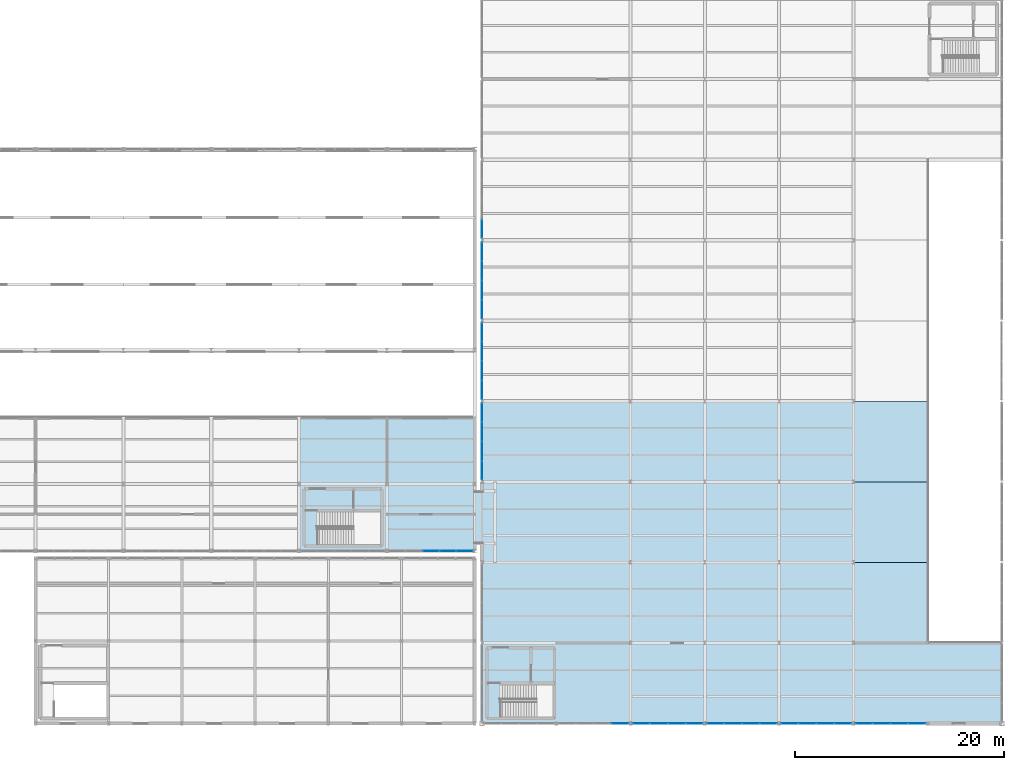
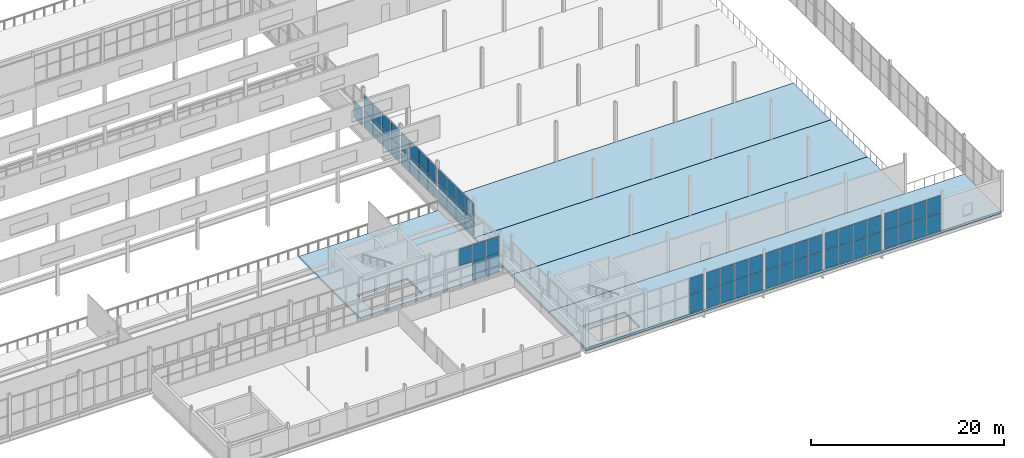
# One storey, part 187 of 218: 64 plates, 6 slabs, 10 elements without a shape of their own.
"""IFC4 building model written with IfcOpenShell, lengths in metres."""

from ifc_helpers import new_model, si_unit, direction, frame, origin, origin_2d, place, context, subcontext, project, spatial, polyline, rectangle, outline, extrude, material, layer, layer_set, type_object, element, aggregate, save


model = new_model("IFC4")

# Units and contexts
model_context = context("Model", 3, precision=1e-05, world=origin(), true_north=direction((0.0, 1.0)))
body_context = subcontext(model_context, "Body", "Model", "MODEL_VIEW")
ifc_project = project(units=[si_unit("LENGTHUNIT", "METRE"), si_unit("AREAUNIT", "SQUARE_METRE"), si_unit("VOLUMEUNIT", "CUBIC_METRE"), si_unit("PLANEANGLEUNIT", "RADIAN"), si_unit("MASSUNIT", "GRAM", prefix="KILO")], contexts=[model_context])

# Site, building, storey
site_placement = place(None, origin())
site = spatial("IfcSite", under=ifc_project, at=site_placement, CompositionType="ELEMENT")
building_placement = place(site_placement, origin())
building = spatial("IfcBuilding", under=site, at=building_placement, Name="Kazenagashi Tramway Depot", CompositionType="ELEMENT")
storey_placement = place(building_placement, frame((0.0, 0.0, 6.0)))
storey = spatial("IfcBuildingStorey", under=building, at=storey_placement, Name="L02", CompositionType="ELEMENT", Elevation=6.0)

# Curtain wall, plates
ifc_material_1 = material(Name="Anodised Aluminium and Low-E Glazing", Category="aluminium")
curtain_wall_type_1 = type_object("IfcCurtainWallType", Name="CW-31", PredefinedType="USERDEFINED", material=ifc_material_1)
curtain_wall_1_placement = place(storey_placement, origin())
curtain_wall_1 = element("IfcCurtainWall", 1, at=curtain_wall_1_placement, inside=storey, type_object=curtain_wall_type_1, Name="Industrial Glazed Screen CW-31 CW-0163", ObjectType="GLAZED SCREEN", PredefinedType="USERDEFINED")
ifc_material_2 = material(Name="Tempered Laminated Low-E Glass", Category="glass")
ifc_layer_1 = layer(ifc_material_2, 0.02)
ifc_layer_set_1 = layer_set([ifc_layer_1], Name="Tempered Laminated Low-E Glass")
plate_type_1 = type_object("IfcPlateType", Name="GL-03", PredefinedType="CURTAIN_PANEL", material=ifc_layer_set_1)
plate_1_placement = place(storey_placement, frame((146.3, 24.1825, 0.06), z_axis=(0.0, 0.0, 1.0), x_axis=(0.0, 1.0, 0.0)))
plate_1 = element("IfcPlate", 2, at=plate_1_placement, type_object=plate_type_1, Name="CW-31 panel 1.1", PredefinedType="CURTAIN_PANEL", context=body_context, shape_type="SweptSolid", body=[
    extrude(rectangle(XDim=1.765, YDim=0.02, at=origin_2d()), origin(), (0.0, 0.0, 1.0), 2.12),
])
plate_2_placement = place(storey_placement, frame((146.3, 24.1825, 2.24), z_axis=(0.0, 0.0, 1.0), x_axis=(0.0, 1.0, 0.0)))
plate_2 = element("IfcPlate", 3, at=plate_2_placement, type_object=plate_type_1, Name="CW-31 panel 1.2", PredefinedType="CURTAIN_PANEL", context=body_context, shape_type="SweptSolid", body=[
    extrude(rectangle(XDim=1.765, YDim=0.02, at=origin_2d()), origin(), (0.0, 0.0, 1.0), 1.95),
])
plate_3_placement = place(storey_placement, frame((146.3, 26.0225, 0.06), z_axis=(0.0, 0.0, 1.0), x_axis=(0.0, 1.0, 0.0)))
plate_3 = element("IfcPlate", 4, at=plate_3_placement, type_object=plate_type_1, Name="CW-31 panel 2.1", PredefinedType="CURTAIN_PANEL", context=body_context, shape_type="SweptSolid", body=[
    extrude(rectangle(XDim=1.795, YDim=0.02, at=origin_2d()), origin(), (0.0, 0.0, 1.0), 2.12),
])
plate_4_placement = place(storey_placement, frame((146.3, 26.0225, 2.24), z_axis=(0.0, 0.0, 1.0), x_axis=(0.0, 1.0, 0.0)))
plate_4 = element("IfcPlate", 5, at=plate_4_placement, type_object=plate_type_1, Name="CW-31 panel 2.2", PredefinedType="CURTAIN_PANEL", context=body_context, shape_type="SweptSolid", body=[
    extrude(rectangle(XDim=1.795, YDim=0.02, at=origin_2d()), origin(), (0.0, 0.0, 1.0), 1.95),
])
plate_5_placement = place(storey_placement, frame((146.3, 27.8775, 0.06), z_axis=(0.0, 0.0, 1.0), x_axis=(0.0, 1.0, 0.0)))
plate_5 = element("IfcPlate", 6, at=plate_5_placement, type_object=plate_type_1, Name="CW-31 panel 3.1", PredefinedType="CURTAIN_PANEL", context=body_context, shape_type="SweptSolid", body=[
    extrude(rectangle(XDim=1.795, YDim=0.02, at=origin_2d()), origin(), (0.0, 0.0, 1.0), 2.12),
])
plate_6_placement = place(storey_placement, frame((146.3, 27.8775, 2.24), z_axis=(0.0, 0.0, 1.0), x_axis=(0.0, 1.0, 0.0)))
plate_6 = element("IfcPlate", 7, at=plate_6_placement, type_object=plate_type_1, Name="CW-31 panel 3.2", PredefinedType="CURTAIN_PANEL", context=body_context, shape_type="SweptSolid", body=[
    extrude(rectangle(XDim=1.795, YDim=0.02, at=origin_2d()), origin(), (0.0, 0.0, 1.0), 1.95),
])
plate_7_placement = place(storey_placement, frame((146.3, 29.7175, 0.06), z_axis=(0.0, 0.0, 1.0), x_axis=(0.0, 1.0, 0.0)))
plate_7 = element("IfcPlate", 8, at=plate_7_placement, type_object=plate_type_1, Name="CW-31 panel 4.1", PredefinedType="CURTAIN_PANEL", context=body_context, shape_type="SweptSolid", body=[
    extrude(rectangle(XDim=1.765, YDim=0.02, at=origin_2d()), origin(), (0.0, 0.0, 1.0), 2.12),
])
plate_8_placement = place(storey_placement, frame((146.3, 29.7175, 2.24), z_axis=(0.0, 0.0, 1.0), x_axis=(0.0, 1.0, 0.0)))
plate_8 = element("IfcPlate", 9, at=plate_8_placement, type_object=plate_type_1, Name="CW-31 panel 4.2", PredefinedType="CURTAIN_PANEL", context=body_context, shape_type="SweptSolid", body=[
    extrude(rectangle(XDim=1.765, YDim=0.02, at=origin_2d()), origin(), (0.0, 0.0, 1.0), 1.95),
])
aggregate(curtain_wall_1, [plate_1, plate_2, plate_3, plate_4, plate_5, plate_6, plate_7, plate_8])

curtain_wall_2_placement = place(storey_placement, origin())
curtain_wall_2 = element("IfcCurtainWall", 10, at=curtain_wall_2_placement, inside=storey, type_object=curtain_wall_type_1, Name="Industrial Glazed Screen CW-31 CW-0165", ObjectType="GLAZED SCREEN", PredefinedType="USERDEFINED")
ifc_layer_2 = layer(ifc_material_2, 0.024)
ifc_layer_set_2 = layer_set([ifc_layer_2], Name="Tempered Laminated Low-E Glass")
plate_type_2 = type_object("IfcPlateType", Name="GL-05", PredefinedType="CURTAIN_PANEL", material=ifc_layer_set_2)
plate_9_placement = place(storey_placement, frame((146.3, 31.8825, 0.06), z_axis=(0.0, 0.0, 1.0), x_axis=(0.0, 1.0, 0.0)))
plate_9 = element("IfcPlate", 11, at=plate_9_placement, type_object=plate_type_2, Name="CW-31 panel 1.1", PredefinedType="CURTAIN_PANEL", context=body_context, shape_type="SweptSolid", body=[
    extrude(rectangle(XDim=1.765, YDim=0.024, at=origin_2d()), origin(), (0.0, 0.0, 1.0), 2.12),
])
plate_10_placement = place(storey_placement, frame((146.3, 31.8825, 2.24), z_axis=(0.0, 0.0, 1.0), x_axis=(0.0, 1.0, 0.0)))
plate_10 = element("IfcPlate", 12, at=plate_10_placement, type_object=plate_type_2, Name="CW-31 panel 1.2", PredefinedType="CURTAIN_PANEL", context=body_context, shape_type="SweptSolid", body=[
    extrude(rectangle(XDim=1.765, YDim=0.024, at=origin_2d()), origin(), (0.0, 0.0, 1.0), 1.95),
])
plate_11_placement = place(storey_placement, frame((146.3, 33.7225, 0.06), z_axis=(0.0, 0.0, 1.0), x_axis=(0.0, 1.0, 0.0)))
plate_11 = element("IfcPlate", 13, at=plate_11_placement, type_object=plate_type_2, Name="CW-31 panel 2.1", PredefinedType="CURTAIN_PANEL", context=body_context, shape_type="SweptSolid", body=[
    extrude(rectangle(XDim=1.795, YDim=0.024, at=origin_2d()), origin(), (0.0, 0.0, 1.0), 2.12),
])
plate_12_placement = place(storey_placement, frame((146.3, 33.7225, 2.24), z_axis=(0.0, 0.0, 1.0), x_axis=(0.0, 1.0, 0.0)))
plate_12 = element("IfcPlate", 14, at=plate_12_placement, type_object=plate_type_2, Name="CW-31 panel 2.2", PredefinedType="CURTAIN_PANEL", context=body_context, shape_type="SweptSolid", body=[
    extrude(rectangle(XDim=1.795, YDim=0.024, at=origin_2d()), origin(), (0.0, 0.0, 1.0), 1.95),
])
plate_13_placement = place(storey_placement, frame((146.3, 35.5775, 0.06), z_axis=(0.0, 0.0, 1.0), x_axis=(0.0, 1.0, 0.0)))
plate_13 = element("IfcPlate", 15, at=plate_13_placement, type_object=plate_type_2, Name="CW-31 panel 3.1", PredefinedType="CURTAIN_PANEL", context=body_context, shape_type="SweptSolid", body=[
    extrude(rectangle(XDim=1.795, YDim=0.024, at=origin_2d()), origin(), (0.0, 0.0, 1.0), 2.12),
])
plate_14_placement = place(storey_placement, frame((146.3, 35.5775, 2.24), z_axis=(0.0, 0.0, 1.0), x_axis=(0.0, 1.0, 0.0)))
plate_14 = element("IfcPlate", 16, at=plate_14_placement, type_object=plate_type_2, Name="CW-31 panel 3.2", PredefinedType="CURTAIN_PANEL", context=body_context, shape_type="SweptSolid", body=[
    extrude(rectangle(XDim=1.795, YDim=0.024, at=origin_2d()), origin(), (0.0, 0.0, 1.0), 1.95),
])
plate_15_placement = place(storey_placement, frame((146.3, 37.4175, 0.06), z_axis=(0.0, 0.0, 1.0), x_axis=(0.0, 1.0, 0.0)))
plate_15 = element("IfcPlate", 17, at=plate_15_placement, type_object=plate_type_2, Name="CW-31 panel 4.1", PredefinedType="CURTAIN_PANEL", context=body_context, shape_type="SweptSolid", body=[
    extrude(rectangle(XDim=1.765, YDim=0.024, at=origin_2d()), origin(), (0.0, 0.0, 1.0), 2.12),
])
plate_16_placement = place(storey_placement, frame((146.3, 37.4175, 2.24), z_axis=(0.0, 0.0, 1.0), x_axis=(0.0, 1.0, 0.0)))
plate_16 = element("IfcPlate", 18, at=plate_16_placement, type_object=plate_type_2, Name="CW-31 panel 4.2", PredefinedType="CURTAIN_PANEL", context=body_context, shape_type="SweptSolid", body=[
    extrude(rectangle(XDim=1.765, YDim=0.024, at=origin_2d()), origin(), (0.0, 0.0, 1.0), 1.95),
])
aggregate(curtain_wall_2, [plate_9, plate_10, plate_11, plate_12, plate_13, plate_14, plate_15, plate_16])

curtain_wall_3_placement = place(storey_placement, origin())
curtain_wall_3 = element("IfcCurtainWall", 19, at=curtain_wall_3_placement, inside=storey, type_object=curtain_wall_type_1, Name="Industrial Glazed Screen CW-31 CW-0167", ObjectType="GLAZED SCREEN", PredefinedType="USERDEFINED")
ifc_layer_3 = layer(ifc_material_2, 0.028)
ifc_layer_set_3 = layer_set([ifc_layer_3], Name="Tempered Laminated Low-E Glass")
plate_type_3 = type_object("IfcPlateType", Name="GL-07", PredefinedType="CURTAIN_PANEL", material=ifc_layer_set_3)
plate_17_placement = place(storey_placement, frame((146.3, 39.5825, 0.06), z_axis=(0.0, 0.0, 1.0), x_axis=(0.0, 1.0, 0.0)))
plate_17 = element("IfcPlate", 20, at=plate_17_placement, type_object=plate_type_3, Name="CW-31 panel 1.1", PredefinedType="CURTAIN_PANEL", context=body_context, shape_type="SweptSolid", body=[
    extrude(rectangle(XDim=1.765, YDim=0.028, at=origin_2d()), origin(), (0.0, 0.0, 1.0), 2.12),
])
plate_18_placement = place(storey_placement, frame((146.3, 39.5825, 2.24), z_axis=(0.0, 0.0, 1.0), x_axis=(0.0, 1.0, 0.0)))
plate_18 = element("IfcPlate", 21, at=plate_18_placement, type_object=plate_type_3, Name="CW-31 panel 1.2", PredefinedType="CURTAIN_PANEL", context=body_context, shape_type="SweptSolid", body=[
    extrude(rectangle(XDim=1.765, YDim=0.028, at=origin_2d()), origin(), (0.0, 0.0, 1.0), 1.95),
])
plate_19_placement = place(storey_placement, frame((146.3, 41.4225, 0.06), z_axis=(0.0, 0.0, 1.0), x_axis=(0.0, 1.0, 0.0)))
plate_19 = element("IfcPlate", 22, at=plate_19_placement, type_object=plate_type_3, Name="CW-31 panel 2.1", PredefinedType="CURTAIN_PANEL", context=body_context, shape_type="SweptSolid", body=[
    extrude(rectangle(XDim=1.795, YDim=0.028, at=origin_2d()), origin(), (0.0, 0.0, 1.0), 2.12),
])
plate_20_placement = place(storey_placement, frame((146.3, 41.4225, 2.24), z_axis=(0.0, 0.0, 1.0), x_axis=(0.0, 1.0, 0.0)))
plate_20 = element("IfcPlate", 23, at=plate_20_placement, type_object=plate_type_3, Name="CW-31 panel 2.2", PredefinedType="CURTAIN_PANEL", context=body_context, shape_type="SweptSolid", body=[
    extrude(rectangle(XDim=1.795, YDim=0.028, at=origin_2d()), origin(), (0.0, 0.0, 1.0), 1.95),
])
plate_21_placement = place(storey_placement, frame((146.3, 43.2775, 0.06), z_axis=(0.0, 0.0, 1.0), x_axis=(0.0, 1.0, 0.0)))
plate_21 = element("IfcPlate", 24, at=plate_21_placement, type_object=plate_type_3, Name="CW-31 panel 3.1", PredefinedType="CURTAIN_PANEL", context=body_context, shape_type="SweptSolid", body=[
    extrude(rectangle(XDim=1.795, YDim=0.028, at=origin_2d()), origin(), (0.0, 0.0, 1.0), 2.12),
])
plate_22_placement = place(storey_placement, frame((146.3, 43.2775, 2.24), z_axis=(0.0, 0.0, 1.0), x_axis=(0.0, 1.0, 0.0)))
plate_22 = element("IfcPlate", 25, at=plate_22_placement, type_object=plate_type_3, Name="CW-31 panel 3.2", PredefinedType="CURTAIN_PANEL", context=body_context, shape_type="SweptSolid", body=[
    extrude(rectangle(XDim=1.795, YDim=0.028, at=origin_2d()), origin(), (0.0, 0.0, 1.0), 1.95),
])
plate_23_placement = place(storey_placement, frame((146.3, 45.1175, 0.06), z_axis=(0.0, 0.0, 1.0), x_axis=(0.0, 1.0, 0.0)))
plate_23 = element("IfcPlate", 26, at=plate_23_placement, type_object=plate_type_3, Name="CW-31 panel 4.1", PredefinedType="CURTAIN_PANEL", context=body_context, shape_type="SweptSolid", body=[
    extrude(rectangle(XDim=1.765, YDim=0.028, at=origin_2d()), origin(), (0.0, 0.0, 1.0), 2.12),
])
plate_24_placement = place(storey_placement, frame((146.3, 45.1175, 2.24), z_axis=(0.0, 0.0, 1.0), x_axis=(0.0, 1.0, 0.0)))
plate_24 = element("IfcPlate", 27, at=plate_24_placement, type_object=plate_type_3, Name="CW-31 panel 4.2", PredefinedType="CURTAIN_PANEL", context=body_context, shape_type="SweptSolid", body=[
    extrude(rectangle(XDim=1.765, YDim=0.028, at=origin_2d()), origin(), (0.0, 0.0, 1.0), 1.95),
])
aggregate(curtain_wall_3, [plate_17, plate_18, plate_19, plate_20, plate_21, plate_22, plate_23, plate_24])

curtain_wall_type_2 = type_object("IfcCurtainWallType", Name="CW-22", PredefinedType="USERDEFINED", material=ifc_material_1)
curtain_wall_4_placement = place(storey_placement, origin())
curtain_wall_4 = element("IfcCurtainWall", 28, at=curtain_wall_4_placement, inside=storey, type_object=curtain_wall_type_2, Name="Industrial Glazed Screen CW-22 CW-0120", ObjectType="GLAZED SCREEN", PredefinedType="USERDEFINED")
ifc_layer_4 = layer(ifc_material_2, 0.03)
ifc_layer_set_4 = layer_set([ifc_layer_4], Name="Tempered Laminated Low-E Glass")
plate_type_4 = type_object("IfcPlateType", Name="GL-08", PredefinedType="CURTAIN_PANEL", material=ifc_layer_set_4)
plate_25_placement = place(storey_placement, frame((159.4925, 0.0, 0.06), z_axis=(0.0, 0.0, 1.0), x_axis=(1.0, 0.0, 0.0)))
plate_25 = element("IfcPlate", 29, at=plate_25_placement, type_object=plate_type_4, Name="CW-22 panel 4.1", PredefinedType="CURTAIN_PANEL", context=body_context, shape_type="SweptSolid", body=[
    extrude(rectangle(XDim=1.615, YDim=0.03, at=origin_2d()), origin(), (0.0, 0.0, 1.0), 2.302),
])
plate_26_placement = place(storey_placement, frame((159.4925, 0.0, 2.422), z_axis=(0.0, 0.0, 1.0), x_axis=(1.0, 0.0, 0.0)))
plate_26 = element("IfcPlate", 30, at=plate_26_placement, type_object=plate_type_4, Name="CW-22 panel 4.2", PredefinedType="CURTAIN_PANEL", context=body_context, shape_type="SweptSolid", body=[
    extrude(rectangle(XDim=1.615, YDim=0.03, at=origin_2d()), origin(), (0.0, 0.0, 1.0), 2.118),
])
aggregate(curtain_wall_4, [plate_25, plate_26])

curtain_wall_5_placement = place(storey_placement, origin())
curtain_wall_5 = element("IfcCurtainWall", 31, at=curtain_wall_5_placement, inside=storey, type_object=curtain_wall_type_2, Name="Industrial Glazed Screen CW-22 CW-0121", ObjectType="GLAZED SCREEN", PredefinedType="USERDEFINED")
ifc_layer_5 = layer(ifc_material_2, 0.032)
ifc_layer_set_5 = layer_set([ifc_layer_5], Name="Tempered Laminated Low-E Glass")
plate_type_5 = type_object("IfcPlateType", Name="GL-09", PredefinedType="CURTAIN_PANEL", material=ifc_layer_set_5)
plate_27_placement = place(storey_placement, frame((161.5075, 0.0, 0.06), z_axis=(0.0, 0.0, 1.0), x_axis=(1.0, 0.0, 0.0)))
plate_27 = element("IfcPlate", 32, at=plate_27_placement, type_object=plate_type_5, Name="CW-22 panel 1.1", PredefinedType="CURTAIN_PANEL", context=body_context, shape_type="SweptSolid", body=[
    extrude(rectangle(XDim=1.615, YDim=0.032, at=origin_2d()), origin(), (0.0, 0.0, 1.0), 2.302),
])
plate_28_placement = place(storey_placement, frame((161.5075, 0.0, 2.422), z_axis=(0.0, 0.0, 1.0), x_axis=(1.0, 0.0, 0.0)))
plate_28 = element("IfcPlate", 33, at=plate_28_placement, type_object=plate_type_5, Name="CW-22 panel 1.2", PredefinedType="CURTAIN_PANEL", context=body_context, shape_type="SweptSolid", body=[
    extrude(rectangle(XDim=1.615, YDim=0.032, at=origin_2d()), origin(), (0.0, 0.0, 1.0), 2.118),
])
plate_29_placement = place(storey_placement, frame((163.1975, 0.0, 0.06), z_axis=(0.0, 0.0, 1.0), x_axis=(1.0, 0.0, 0.0)))
plate_29 = element("IfcPlate", 34, at=plate_29_placement, type_object=plate_type_5, Name="CW-22 panel 2.1", PredefinedType="CURTAIN_PANEL", context=body_context, shape_type="SweptSolid", body=[
    extrude(rectangle(XDim=1.645, YDim=0.032, at=origin_2d()), origin(), (0.0, 0.0, 1.0), 2.302),
])
plate_30_placement = place(storey_placement, frame((163.1975, 0.0, 2.422), z_axis=(0.0, 0.0, 1.0), x_axis=(1.0, 0.0, 0.0)))
plate_30 = element("IfcPlate", 35, at=plate_30_placement, type_object=plate_type_5, Name="CW-22 panel 2.2", PredefinedType="CURTAIN_PANEL", context=body_context, shape_type="SweptSolid", body=[
    extrude(rectangle(XDim=1.645, YDim=0.032, at=origin_2d()), origin(), (0.0, 0.0, 1.0), 2.118),
])
plate_31_placement = place(storey_placement, frame((164.9025, 0.0, 0.06), z_axis=(0.0, 0.0, 1.0), x_axis=(1.0, 0.0, 0.0)))
plate_31 = element("IfcPlate", 36, at=plate_31_placement, type_object=plate_type_5, Name="CW-22 panel 3.1", PredefinedType="CURTAIN_PANEL", context=body_context, shape_type="SweptSolid", body=[
    extrude(rectangle(XDim=1.645, YDim=0.032, at=origin_2d()), origin(), (0.0, 0.0, 1.0), 2.302),
])
plate_32_placement = place(storey_placement, frame((164.9025, 0.0, 2.422), z_axis=(0.0, 0.0, 1.0), x_axis=(1.0, 0.0, 0.0)))
plate_32 = element("IfcPlate", 37, at=plate_32_placement, type_object=plate_type_5, Name="CW-22 panel 3.2", PredefinedType="CURTAIN_PANEL", context=body_context, shape_type="SweptSolid", body=[
    extrude(rectangle(XDim=1.645, YDim=0.032, at=origin_2d()), origin(), (0.0, 0.0, 1.0), 2.118),
])
plate_33_placement = place(storey_placement, frame((166.5925, 0.0, 0.06), z_axis=(0.0, 0.0, 1.0), x_axis=(1.0, 0.0, 0.0)))
plate_33 = element("IfcPlate", 38, at=plate_33_placement, type_object=plate_type_5, Name="CW-22 panel 4.1", PredefinedType="CURTAIN_PANEL", context=body_context, shape_type="SweptSolid", body=[
    extrude(rectangle(XDim=1.615, YDim=0.032, at=origin_2d()), origin(), (0.0, 0.0, 1.0), 2.302),
])
plate_34_placement = place(storey_placement, frame((166.5925, 0.0, 2.422), z_axis=(0.0, 0.0, 1.0), x_axis=(1.0, 0.0, 0.0)))
plate_34 = element("IfcPlate", 39, at=plate_34_placement, type_object=plate_type_5, Name="CW-22 panel 4.2", PredefinedType="CURTAIN_PANEL", context=body_context, shape_type="SweptSolid", body=[
    extrude(rectangle(XDim=1.615, YDim=0.032, at=origin_2d()), origin(), (0.0, 0.0, 1.0), 2.118),
])
aggregate(curtain_wall_5, [plate_27, plate_28, plate_29, plate_30, plate_31, plate_32, plate_33, plate_34])

# Curtain wall, plate
curtain_wall_6_placement = place(storey_placement, origin())
curtain_wall_6 = element("IfcCurtainWall", 40, at=curtain_wall_6_placement, inside=storey, type_object=curtain_wall_type_1, Name="Industrial Glazed Screen CW-31 CW-0169", ObjectType="GLAZED SCREEN", PredefinedType="USERDEFINED")
plate_35_placement = place(storey_placement, frame((146.3, 47.2825, 0.06), z_axis=(0.0, 0.0, 1.0), x_axis=(0.0, 1.0, 0.0)))
plate_35 = element("IfcPlate", 41, at=plate_35_placement, type_object=plate_type_5, Name="CW-31 panel 1.1", PredefinedType="CURTAIN_PANEL", context=body_context, shape_type="SweptSolid", body=[
    extrude(rectangle(XDim=1.765, YDim=0.032, at=origin_2d()), origin(), (0.0, 0.0, 1.0), 2.12),
])
aggregate(curtain_wall_6, [plate_35])

# Curtain wall, plates
curtain_wall_type_3 = type_object("IfcCurtainWallType", Name="CW-20", PredefinedType="USERDEFINED", material=ifc_material_1)
curtain_wall_7_placement = place(storey_placement, origin())
curtain_wall_7 = element("IfcCurtainWall", 42, at=curtain_wall_7_placement, inside=storey, type_object=curtain_wall_type_3, Name="Industrial Glazed Screen CW-20 CW-0106", ObjectType="GLAZED SCREEN", PredefinedType="USERDEFINED")
ifc_layer_6 = layer(ifc_material_2, 0.034)
ifc_layer_set_6 = layer_set([ifc_layer_6], Name="Tempered Laminated Low-E Glass")
plate_type_6 = type_object("IfcPlateType", Name="GL-10", PredefinedType="CURTAIN_PANEL", material=ifc_layer_set_6)
plate_36_placement = place(storey_placement, frame((141.4, 16.5, 2.422), z_axis=(0.0, 0.0, 1.0), x_axis=(1.0, 0.0, 0.0)))
plate_36 = element("IfcPlate", 43, at=plate_36_placement, type_object=plate_type_6, Name="CW-20 panel 3.2", PredefinedType="CURTAIN_PANEL", context=body_context, shape_type="SweptSolid", body=[
    extrude(rectangle(XDim=1.564, YDim=0.034, at=origin_2d()), origin(), (0.0, 0.0, 1.0), 2.118),
])
plate_37_placement = place(storey_placement, frame((143.024, 16.5, 0.06), z_axis=(0.0, 0.0, 1.0), x_axis=(1.0, 0.0, 0.0)))
plate_37 = element("IfcPlate", 44, at=plate_37_placement, type_object=plate_type_6, Name="CW-20 panel 4.1", PredefinedType="CURTAIN_PANEL", context=body_context, shape_type="SweptSolid", body=[
    extrude(rectangle(XDim=1.564, YDim=0.034, at=origin_2d()), origin(), (0.0, 0.0, 1.0), 2.302),
])
plate_38_placement = place(storey_placement, frame((143.024, 16.5, 2.422), z_axis=(0.0, 0.0, 1.0), x_axis=(1.0, 0.0, 0.0)))
plate_38 = element("IfcPlate", 45, at=plate_38_placement, type_object=plate_type_6, Name="CW-20 panel 4.2", PredefinedType="CURTAIN_PANEL", context=body_context, shape_type="SweptSolid", body=[
    extrude(rectangle(XDim=1.564, YDim=0.034, at=origin_2d()), origin(), (0.0, 0.0, 1.0), 2.118),
])
plate_39_placement = place(storey_placement, frame((144.633, 16.5, 0.06), z_axis=(0.0, 0.0, 1.0), x_axis=(1.0, 0.0, 0.0)))
plate_39 = element("IfcPlate", 46, at=plate_39_placement, type_object=plate_type_6, Name="CW-20 panel 5.1", PredefinedType="CURTAIN_PANEL", context=body_context, shape_type="SweptSolid", body=[
    extrude(rectangle(XDim=1.534, YDim=0.034, at=origin_2d()), origin(), (0.0, 0.0, 1.0), 2.302),
])
plate_40_placement = place(storey_placement, frame((144.633, 16.5, 2.422), z_axis=(0.0, 0.0, 1.0), x_axis=(1.0, 0.0, 0.0)))
plate_40 = element("IfcPlate", 47, at=plate_40_placement, type_object=plate_type_6, Name="CW-20 panel 5.2", PredefinedType="CURTAIN_PANEL", context=body_context, shape_type="SweptSolid", body=[
    extrude(rectangle(XDim=1.534, YDim=0.034, at=origin_2d()), origin(), (0.0, 0.0, 1.0), 2.118),
])
aggregate(curtain_wall_7, [plate_36, plate_37, plate_38, plate_39, plate_40])

curtain_wall_8_placement = place(storey_placement, origin())
curtain_wall_8 = element("IfcCurtainWall", 48, at=curtain_wall_8_placement, inside=storey, type_object=curtain_wall_type_2, Name="Industrial Glazed Screen CW-22 CW-0122", ObjectType="GLAZED SCREEN", PredefinedType="USERDEFINED")
plate_41_placement = place(storey_placement, frame((168.6075, 0.0, 0.06), z_axis=(0.0, 0.0, 1.0), x_axis=(1.0, 0.0, 0.0)))
plate_41 = element("IfcPlate", 49, at=plate_41_placement, type_object=plate_type_6, Name="CW-22 panel 1.1", PredefinedType="CURTAIN_PANEL", context=body_context, shape_type="SweptSolid", body=[
    extrude(rectangle(XDim=1.615, YDim=0.034, at=origin_2d()), origin(), (0.0, 0.0, 1.0), 2.302),
])
plate_42_placement = place(storey_placement, frame((168.6075, 0.0, 2.422), z_axis=(0.0, 0.0, 1.0), x_axis=(1.0, 0.0, 0.0)))
plate_42 = element("IfcPlate", 50, at=plate_42_placement, type_object=plate_type_6, Name="CW-22 panel 1.2", PredefinedType="CURTAIN_PANEL", context=body_context, shape_type="SweptSolid", body=[
    extrude(rectangle(XDim=1.615, YDim=0.034, at=origin_2d()), origin(), (0.0, 0.0, 1.0), 2.118),
])
plate_43_placement = place(storey_placement, frame((170.2975, 0.0, 0.06), z_axis=(0.0, 0.0, 1.0), x_axis=(1.0, 0.0, 0.0)))
plate_43 = element("IfcPlate", 51, at=plate_43_placement, type_object=plate_type_6, Name="CW-22 panel 2.1", PredefinedType="CURTAIN_PANEL", context=body_context, shape_type="SweptSolid", body=[
    extrude(rectangle(XDim=1.645, YDim=0.034, at=origin_2d()), origin(), (0.0, 0.0, 1.0), 2.302),
])
plate_44_placement = place(storey_placement, frame((170.2975, 0.0, 2.422), z_axis=(0.0, 0.0, 1.0), x_axis=(1.0, 0.0, 0.0)))
plate_44 = element("IfcPlate", 52, at=plate_44_placement, type_object=plate_type_6, Name="CW-22 panel 2.2", PredefinedType="CURTAIN_PANEL", context=body_context, shape_type="SweptSolid", body=[
    extrude(rectangle(XDim=1.645, YDim=0.034, at=origin_2d()), origin(), (0.0, 0.0, 1.0), 2.118),
])
plate_45_placement = place(storey_placement, frame((172.0025, 0.0, 0.06), z_axis=(0.0, 0.0, 1.0), x_axis=(1.0, 0.0, 0.0)))
plate_45 = element("IfcPlate", 53, at=plate_45_placement, type_object=plate_type_6, Name="CW-22 panel 3.1", PredefinedType="CURTAIN_PANEL", context=body_context, shape_type="SweptSolid", body=[
    extrude(rectangle(XDim=1.645, YDim=0.034, at=origin_2d()), origin(), (0.0, 0.0, 1.0), 2.302),
])
plate_46_placement = place(storey_placement, frame((172.0025, 0.0, 2.422), z_axis=(0.0, 0.0, 1.0), x_axis=(1.0, 0.0, 0.0)))
plate_46 = element("IfcPlate", 54, at=plate_46_placement, type_object=plate_type_6, Name="CW-22 panel 3.2", PredefinedType="CURTAIN_PANEL", context=body_context, shape_type="SweptSolid", body=[
    extrude(rectangle(XDim=1.645, YDim=0.034, at=origin_2d()), origin(), (0.0, 0.0, 1.0), 2.118),
])
plate_47_placement = place(storey_placement, frame((173.6925, 0.0, 0.06), z_axis=(0.0, 0.0, 1.0), x_axis=(1.0, 0.0, 0.0)))
plate_47 = element("IfcPlate", 55, at=plate_47_placement, type_object=plate_type_6, Name="CW-22 panel 4.1", PredefinedType="CURTAIN_PANEL", context=body_context, shape_type="SweptSolid", body=[
    extrude(rectangle(XDim=1.615, YDim=0.034, at=origin_2d()), origin(), (0.0, 0.0, 1.0), 2.302),
])
plate_48_placement = place(storey_placement, frame((173.6925, 0.0, 2.422), z_axis=(0.0, 0.0, 1.0), x_axis=(1.0, 0.0, 0.0)))
plate_48 = element("IfcPlate", 56, at=plate_48_placement, type_object=plate_type_6, Name="CW-22 panel 4.2", PredefinedType="CURTAIN_PANEL", context=body_context, shape_type="SweptSolid", body=[
    extrude(rectangle(XDim=1.615, YDim=0.034, at=origin_2d()), origin(), (0.0, 0.0, 1.0), 2.118),
])
aggregate(curtain_wall_8, [plate_41, plate_42, plate_43, plate_44, plate_45, plate_46, plate_47, plate_48])

curtain_wall_9_placement = place(storey_placement, origin())
curtain_wall_9 = element("IfcCurtainWall", 57, at=curtain_wall_9_placement, inside=storey, type_object=curtain_wall_type_2, Name="Industrial Glazed Screen CW-22 CW-0123", ObjectType="GLAZED SCREEN", PredefinedType="USERDEFINED")
ifc_layer_7 = layer(ifc_material_2, 0.036)
ifc_layer_set_7 = layer_set([ifc_layer_7], Name="Tempered Laminated Low-E Glass")
plate_type_7 = type_object("IfcPlateType", Name="GL-11", PredefinedType="CURTAIN_PANEL", material=ifc_layer_set_7)
plate_49_placement = place(storey_placement, frame((175.7075, 0.0, 0.06), z_axis=(0.0, 0.0, 1.0), x_axis=(1.0, 0.0, 0.0)))
plate_49 = element("IfcPlate", 58, at=plate_49_placement, type_object=plate_type_7, Name="CW-22 panel 1.1", PredefinedType="CURTAIN_PANEL", context=body_context, shape_type="SweptSolid", body=[
    extrude(rectangle(XDim=1.615, YDim=0.036, at=origin_2d()), origin(), (0.0, 0.0, 1.0), 2.302),
])
plate_50_placement = place(storey_placement, frame((175.7075, 0.0, 2.422), z_axis=(0.0, 0.0, 1.0), x_axis=(1.0, 0.0, 0.0)))
plate_50 = element("IfcPlate", 59, at=plate_50_placement, type_object=plate_type_7, Name="CW-22 panel 1.2", PredefinedType="CURTAIN_PANEL", context=body_context, shape_type="SweptSolid", body=[
    extrude(rectangle(XDim=1.615, YDim=0.036, at=origin_2d()), origin(), (0.0, 0.0, 1.0), 2.118),
])
plate_51_placement = place(storey_placement, frame((177.3975, 0.0, 0.06), z_axis=(0.0, 0.0, 1.0), x_axis=(1.0, 0.0, 0.0)))
plate_51 = element("IfcPlate", 60, at=plate_51_placement, type_object=plate_type_7, Name="CW-22 panel 2.1", PredefinedType="CURTAIN_PANEL", context=body_context, shape_type="SweptSolid", body=[
    extrude(rectangle(XDim=1.645, YDim=0.036, at=origin_2d()), origin(), (0.0, 0.0, 1.0), 2.302),
])
plate_52_placement = place(storey_placement, frame((177.3975, 0.0, 2.422), z_axis=(0.0, 0.0, 1.0), x_axis=(1.0, 0.0, 0.0)))
plate_52 = element("IfcPlate", 61, at=plate_52_placement, type_object=plate_type_7, Name="CW-22 panel 2.2", PredefinedType="CURTAIN_PANEL", context=body_context, shape_type="SweptSolid", body=[
    extrude(rectangle(XDim=1.645, YDim=0.036, at=origin_2d()), origin(), (0.0, 0.0, 1.0), 2.118),
])
plate_53_placement = place(storey_placement, frame((179.1025, 0.0, 0.06), z_axis=(0.0, 0.0, 1.0), x_axis=(1.0, 0.0, 0.0)))
plate_53 = element("IfcPlate", 62, at=plate_53_placement, type_object=plate_type_7, Name="CW-22 panel 3.1", PredefinedType="CURTAIN_PANEL", context=body_context, shape_type="SweptSolid", body=[
    extrude(rectangle(XDim=1.645, YDim=0.036, at=origin_2d()), origin(), (0.0, 0.0, 1.0), 2.302),
])
plate_54_placement = place(storey_placement, frame((179.1025, 0.0, 2.422), z_axis=(0.0, 0.0, 1.0), x_axis=(1.0, 0.0, 0.0)))
plate_54 = element("IfcPlate", 63, at=plate_54_placement, type_object=plate_type_7, Name="CW-22 panel 3.2", PredefinedType="CURTAIN_PANEL", context=body_context, shape_type="SweptSolid", body=[
    extrude(rectangle(XDim=1.645, YDim=0.036, at=origin_2d()), origin(), (0.0, 0.0, 1.0), 2.118),
])
plate_55_placement = place(storey_placement, frame((180.7925, 0.0, 0.06), z_axis=(0.0, 0.0, 1.0), x_axis=(1.0, 0.0, 0.0)))
plate_55 = element("IfcPlate", 64, at=plate_55_placement, type_object=plate_type_7, Name="CW-22 panel 4.1", PredefinedType="CURTAIN_PANEL", context=body_context, shape_type="SweptSolid", body=[
    extrude(rectangle(XDim=1.615, YDim=0.036, at=origin_2d()), origin(), (0.0, 0.0, 1.0), 2.302),
])
plate_56_placement = place(storey_placement, frame((180.7925, 0.0, 2.422), z_axis=(0.0, 0.0, 1.0), x_axis=(1.0, 0.0, 0.0)))
plate_56 = element("IfcPlate", 65, at=plate_56_placement, type_object=plate_type_7, Name="CW-22 panel 4.2", PredefinedType="CURTAIN_PANEL", context=body_context, shape_type="SweptSolid", body=[
    extrude(rectangle(XDim=1.615, YDim=0.036, at=origin_2d()), origin(), (0.0, 0.0, 1.0), 2.118),
])
aggregate(curtain_wall_9, [plate_49, plate_50, plate_51, plate_52, plate_53, plate_54, plate_55, plate_56])

curtain_wall_10_placement = place(storey_placement, origin())
curtain_wall_10 = element("IfcCurtainWall", 66, at=curtain_wall_10_placement, inside=storey, type_object=curtain_wall_type_2, Name="Industrial Glazed Screen CW-22 CW-0124", ObjectType="GLAZED SCREEN", PredefinedType="USERDEFINED")
ifc_layer_8 = layer(ifc_material_2, 0.038)
ifc_layer_set_8 = layer_set([ifc_layer_8], Name="Tempered Laminated Low-E Glass")
plate_type_8 = type_object("IfcPlateType", Name="GL-12", PredefinedType="CURTAIN_PANEL", material=ifc_layer_set_8)
plate_57_placement = place(storey_placement, frame((182.8075, 0.0, 0.06), z_axis=(0.0, 0.0, 1.0), x_axis=(1.0, 0.0, 0.0)))
plate_57 = element("IfcPlate", 67, at=plate_57_placement, type_object=plate_type_8, Name="CW-22 panel 1.1", PredefinedType="CURTAIN_PANEL", context=body_context, shape_type="SweptSolid", body=[
    extrude(rectangle(XDim=1.615, YDim=0.038, at=origin_2d()), origin(), (0.0, 0.0, 1.0), 2.302),
])
plate_58_placement = place(storey_placement, frame((182.8075, 0.0, 2.422), z_axis=(0.0, 0.0, 1.0), x_axis=(1.0, 0.0, 0.0)))
plate_58 = element("IfcPlate", 68, at=plate_58_placement, type_object=plate_type_8, Name="CW-22 panel 1.2", PredefinedType="CURTAIN_PANEL", context=body_context, shape_type="SweptSolid", body=[
    extrude(rectangle(XDim=1.615, YDim=0.038, at=origin_2d()), origin(), (0.0, 0.0, 1.0), 2.118),
])
plate_59_placement = place(storey_placement, frame((184.4975, 0.0, 0.06), z_axis=(0.0, 0.0, 1.0), x_axis=(1.0, 0.0, 0.0)))
plate_59 = element("IfcPlate", 69, at=plate_59_placement, type_object=plate_type_8, Name="CW-22 panel 2.1", PredefinedType="CURTAIN_PANEL", context=body_context, shape_type="SweptSolid", body=[
    extrude(rectangle(XDim=1.645, YDim=0.038, at=origin_2d()), origin(), (0.0, 0.0, 1.0), 2.302),
])
plate_60_placement = place(storey_placement, frame((184.4975, 0.0, 2.422), z_axis=(0.0, 0.0, 1.0), x_axis=(1.0, 0.0, 0.0)))
plate_60 = element("IfcPlate", 70, at=plate_60_placement, type_object=plate_type_8, Name="CW-22 panel 2.2", PredefinedType="CURTAIN_PANEL", context=body_context, shape_type="SweptSolid", body=[
    extrude(rectangle(XDim=1.645, YDim=0.038, at=origin_2d()), origin(), (0.0, 0.0, 1.0), 2.118),
])
plate_61_placement = place(storey_placement, frame((186.2025, 0.0, 0.06), z_axis=(0.0, 0.0, 1.0), x_axis=(1.0, 0.0, 0.0)))
plate_61 = element("IfcPlate", 71, at=plate_61_placement, type_object=plate_type_8, Name="CW-22 panel 3.1", PredefinedType="CURTAIN_PANEL", context=body_context, shape_type="SweptSolid", body=[
    extrude(rectangle(XDim=1.645, YDim=0.038, at=origin_2d()), origin(), (0.0, 0.0, 1.0), 2.302),
])
plate_62_placement = place(storey_placement, frame((186.2025, 0.0, 2.422), z_axis=(0.0, 0.0, 1.0), x_axis=(1.0, 0.0, 0.0)))
plate_62 = element("IfcPlate", 72, at=plate_62_placement, type_object=plate_type_8, Name="CW-22 panel 3.2", PredefinedType="CURTAIN_PANEL", context=body_context, shape_type="SweptSolid", body=[
    extrude(rectangle(XDim=1.645, YDim=0.038, at=origin_2d()), origin(), (0.0, 0.0, 1.0), 2.118),
])
plate_63_placement = place(storey_placement, frame((187.8925, 0.0, 0.06), z_axis=(0.0, 0.0, 1.0), x_axis=(1.0, 0.0, 0.0)))
plate_63 = element("IfcPlate", 73, at=plate_63_placement, type_object=plate_type_8, Name="CW-22 panel 4.1", PredefinedType="CURTAIN_PANEL", context=body_context, shape_type="SweptSolid", body=[
    extrude(rectangle(XDim=1.615, YDim=0.038, at=origin_2d()), origin(), (0.0, 0.0, 1.0), 2.302),
])
plate_64_placement = place(storey_placement, frame((187.8925, 0.0, 2.422), z_axis=(0.0, 0.0, 1.0), x_axis=(1.0, 0.0, 0.0)))
plate_64 = element("IfcPlate", 74, at=plate_64_placement, type_object=plate_type_8, Name="CW-22 panel 4.2", PredefinedType="CURTAIN_PANEL", context=body_context, shape_type="SweptSolid", body=[
    extrude(rectangle(XDim=1.615, YDim=0.038, at=origin_2d()), origin(), (0.0, 0.0, 1.0), 2.118),
])
aggregate(curtain_wall_10, [plate_57, plate_58, plate_59, plate_60, plate_61, plate_62, plate_63, plate_64])

# Slabs
ifc_material_3 = material(Name="Concrete Fc36", Category="concrete")
ifc_layer_9 = layer(ifc_material_3, 0.25)
ifc_layer_set_9 = layer_set([ifc_layer_9], Name="Concrete Fc36")
slab_type_1 = type_object("IfcSlabType", Name="SL-04", PredefinedType="FLOOR", material=ifc_layer_set_9)
slab_1_placement = place(storey_placement, frame((0.0, 0.0, -0.25)))
element("IfcSlab", 75, at=slab_1_placement, inside=storey, type_object=slab_type_1, Name="Overhaul Mezzanine Slab 6 SLAB-062", PredefinedType="FLOOR", context=body_context, shape_type="SweptSolid", body=[
    extrude(outline(polyline([(128.8, 29.3), (145.6, 29.3), (145.6, 16.5), (128.8, 16.5), (128.8, 29.3)]), holes=[polyline([(136.59, 20.2), (130.56, 20.2), (130.56, 17.11), (136.59, 17.11), (136.59, 20.2)])]), origin(), (0.0, 0.0, 1.0), 0.25),
])
ifc_layer_10 = layer(ifc_material_3, 0.18)
ifc_layer_set_10 = layer_set([ifc_layer_10], Name="Concrete Fc36")
slab_type_2 = type_object("IfcSlabType", Name="SL-07", PredefinedType="FLOOR", material=ifc_layer_set_10)
slab_2_placement = place(storey_placement, frame((0.0, 0.0, -0.18)))
element("IfcSlab", 76, at=slab_2_placement, inside=storey, type_object=slab_type_2, Name="East Overhaul-to-Charging-Deck Seismic Link Bridge BR3 Deck SLAB-080", PredefinedType="FLOOR", context=body_context, shape_type="SweptSolid", body=[
    extrude(outline(polyline([(145.6, 17.2), (146.3, 17.2), (146.3, 22.2), (145.6, 22.2), (145.6, 17.2)])), origin(), (0.0, 0.0, 1.0), 0.18),
])
ifc_layer_11 = layer(ifc_material_3, 0.28)
ifc_layer_set_11 = layer_set([ifc_layer_11], Name="Concrete Fc36")
slab_type_3 = type_object("IfcSlabType", Name="SL-10", PredefinedType="FLOOR", material=ifc_layer_set_11)
slab_3_placement = place(storey_placement, frame((0.0, 0.0, -0.28)))
element("IfcSlab", 77, at=slab_3_placement, inside=storey, type_object=slab_type_3, Name="EV Bus Charging Deck Slab 1 SLAB-063", PredefinedType="FLOOR", context=body_context, shape_type="SweptSolid", body=[
    extrude(outline(polyline([(146.3, 7.7), (196.0, 7.7), (196.0, 0.0), (146.3, 0.0), (146.3, 7.7)]), holes=[polyline([(153.09, 3.7), (148.06, 3.7), (148.06, 0.61), (153.09, 0.61), (153.09, 3.7)])]), origin(), (0.0, 0.0, 1.0), 0.28),
])
slab_4_placement = place(storey_placement, frame((0.0, 0.0, -0.28)))
element("IfcSlab", 78, at=slab_4_placement, inside=storey, type_object=slab_type_3, Name="EV Bus Charging Deck Slab 2 SLAB-064", PredefinedType="FLOOR", context=body_context, shape_type="SweptSolid", body=[
    extrude(outline(polyline([(146.3, 7.7), (188.9, 7.7), (188.9, 15.4), (146.3, 15.4), (146.3, 7.7)])), origin(), (0.0, 0.0, 1.0), 0.28),
])
slab_5_placement = place(storey_placement, frame((0.0, 0.0, -0.28)))
element("IfcSlab", 79, at=slab_5_placement, inside=storey, type_object=slab_type_3, Name="EV Bus Charging Deck Slab 3 SLAB-065", PredefinedType="FLOOR", context=body_context, shape_type="SweptSolid", body=[
    extrude(outline(polyline([(146.3, 15.4), (188.9, 15.4), (188.9, 23.1), (146.3, 23.1), (146.3, 15.4)])), origin(), (0.0, 0.0, 1.0), 0.28),
])
slab_6_placement = place(storey_placement, frame((0.0, 0.0, -0.28)))
element("IfcSlab", 80, at=slab_6_placement, inside=storey, type_object=slab_type_3, Name="EV Bus Charging Deck Slab 4 SLAB-066", PredefinedType="FLOOR", context=body_context, shape_type="SweptSolid", body=[
    extrude(outline(polyline([(146.3, 23.1), (188.9, 23.1), (188.9, 30.8), (146.3, 30.8), (146.3, 23.1)])), origin(), (0.0, 0.0, 1.0), 0.28),
])

save(model, "model.ifc")
